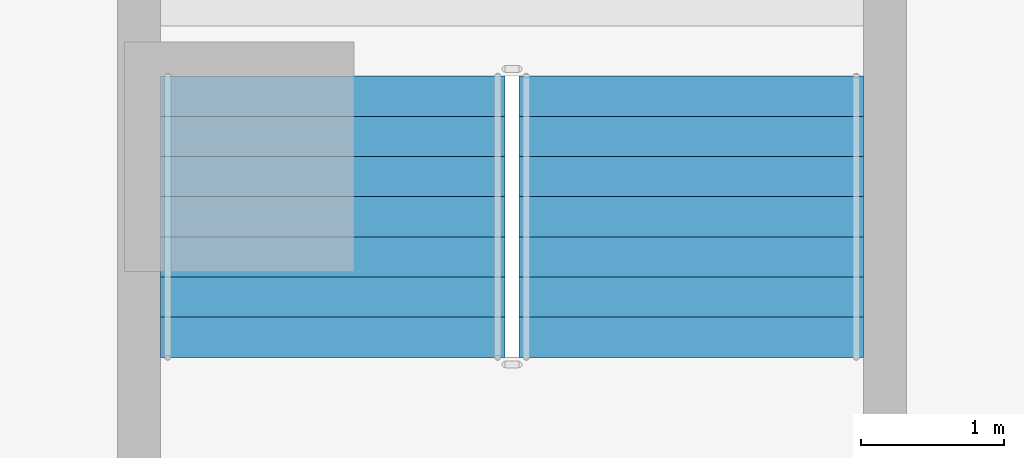
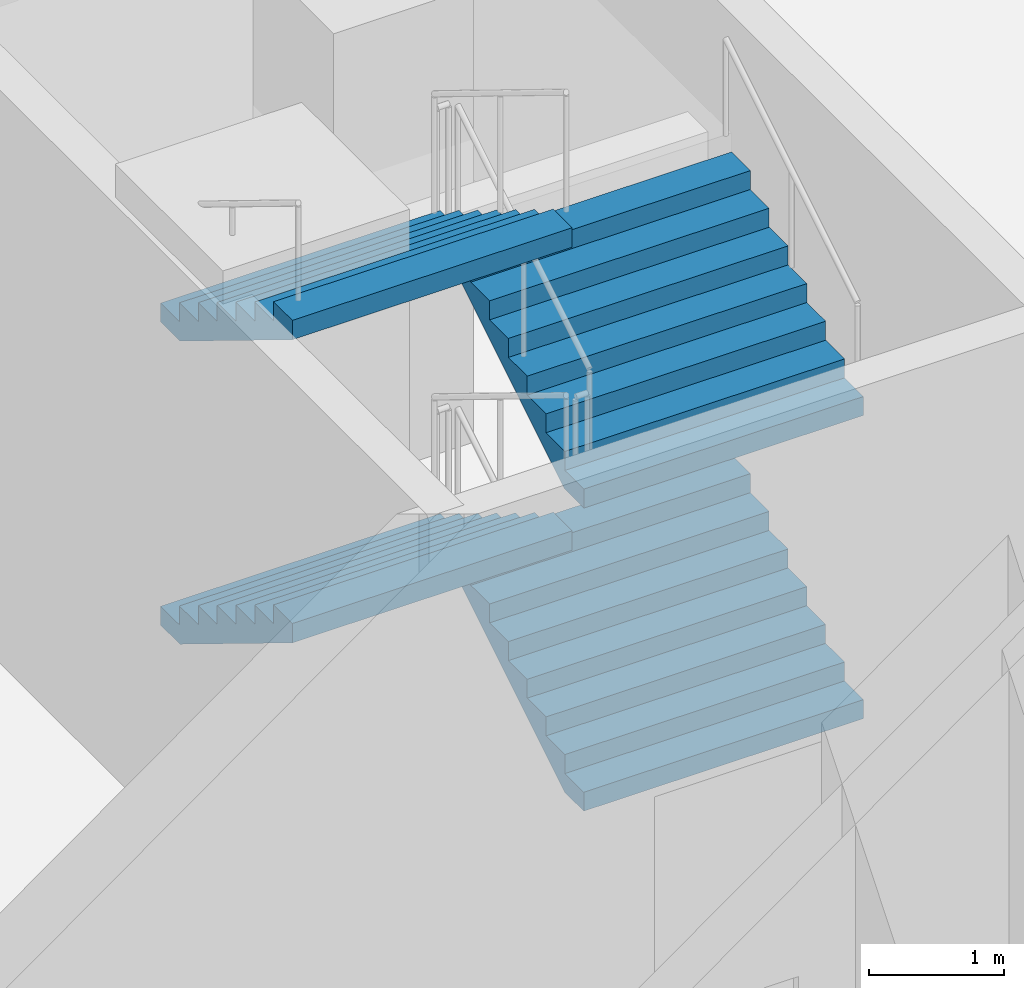
# One storey, part 17 of 31: 4 stair flights, 1 element without a shape of its own.
"""IFC4 building model written with IfcOpenShell, lengths in metres."""

from ifc_helpers import new_model, si_unit, direction, frame, origin, place, context, subcontext, project, spatial, triangles, source, transform, mapped, material, type_object, element, aggregate, save


model = new_model("IFC4")

# Units and contexts
model_context = context("Model", 3, precision=1e-05, world=origin(), true_north=direction((0.0, 1.0)))
body_context = subcontext(model_context, "Body", "Model", "MODEL_VIEW")
ifc_project = project(units=[si_unit("LENGTHUNIT", "METRE"), si_unit("AREAUNIT", "SQUARE_METRE"), si_unit("VOLUMEUNIT", "CUBIC_METRE"), si_unit("PLANEANGLEUNIT", "RADIAN"), si_unit("MASSUNIT", "GRAM", prefix="KILO")], contexts=[model_context])

# Site, building, storey
site_placement = place(None, origin())
site = spatial("IfcSite", under=ifc_project, at=site_placement, CompositionType="ELEMENT")
building_placement = place(site_placement, origin())
building = spatial("IfcBuilding", under=site, at=building_placement, Name="Ogive Portal Towers", CompositionType="ELEMENT")
storey_placement = place(building_placement, frame((0.0, 0.0, 8.0)))
storey = spatial("IfcBuildingStorey", under=building, at=storey_placement, Name="L01", CompositionType="ELEMENT", Elevation=8.0)

# Stair, stair flights
ifc_material = material(Name="Concrete C40/50", Category="concrete")
stair_type = type_object("IfcStairType", Name="INT-STAIR", PredefinedType="HALF_TURN_STAIR", material=ifc_material)
stair_placement = place(storey_placement, origin())
stair = element("IfcStair", 1, at=stair_placement, inside=storey, type_object=stair_type, Name="L01 Exit Stair ST-P1", PredefinedType="HALF_TURN_STAIR")
stair_flight_type = type_object("IfcStairFlightType", Name="INT-FLIGHT", PredefinedType="STRAIGHT", material=ifc_material)
shared_shape = source(origin(), body_context, "Body", "Tessellation", [
    triangles([(0.0, -1.199951171875, 0.0), (0.0, -0.6943359375, 0.0), (0.0, -0.35546875, 0.0), (0.0, -0.14990234375, 0.0), (0.0, -0.04443359375, 0.0), (0.0, -0.005615234375, 0.0), (0.0, 0.0, 0.0), (0.0, 0.005615234375, 0.0), (0.0, 0.04443359375, 0.0), (0.0, 0.14990234375, 0.0), (0.0, 0.35546875, 0.0), (0.0, 0.6943359375, 0.0), (0.0, 1.199951171875, 0.0), (0.0, -1.199951171875, 0.171875), (0.0, -0.6943359375, 0.171875), (0.0, -0.35546875, 0.171875), (0.0, -0.14990234375, 0.171875), (0.0, -0.04443359375, 0.171875), (0.0, -0.005615234375, 0.171875), (0.0, 0.0, 0.171875), (0.0, 0.005615234375, 0.171875), (0.0, 0.04443359375, 0.171875), (0.0, 0.14990234375, 0.171875), (0.0, 0.35546875, 0.171875), (0.0, 0.6943359375, 0.171875), (0.0, 1.199951171875, 0.171875), (0.280029296875, -1.199951171875, 0.171875), (0.280029296875, -0.6943359375, 0.171875), (0.280029296875, -0.35546875, 0.171875), (0.280029296875, -0.14990234375, 0.171875), (0.280029296875, -0.04443359375, 0.171875), (0.280029296875, -0.005615234375, 0.171875), (0.280029296875, 0.0, 0.171875), (0.280029296875, 0.005615234375, 0.171875), (0.280029296875, 0.04443359375, 0.171875), (0.280029296875, 0.14990234375, 0.171875), (0.280029296875, 0.35546875, 0.171875), (0.280029296875, 0.6943359375, 0.171875), (0.280029296875, 1.199951171875, 0.171875), (0.280029296875, -1.199951171875, 0.34375), (0.280029296875, -0.6943359375, 0.34375), (0.280029296875, -0.35546875, 0.34375), (0.280029296875, -0.14990234375, 0.34375), (0.280029296875, -0.04443359375, 0.34375), (0.280029296875, -0.005615234375, 0.34375), (0.280029296875, 0.0, 0.34375), (0.280029296875, 0.005615234375, 0.34375), (0.280029296875, 0.04443359375, 0.34375), (0.280029296875, 0.14990234375, 0.34375), (0.280029296875, 0.35546875, 0.34375), (0.280029296875, 0.6943359375, 0.34375), (0.280029296875, 1.199951171875, 0.34375), (0.56005859375, -1.199951171875, 0.34375), (0.56005859375, -0.6943359375, 0.34375), (0.56005859375, -0.35546875, 0.34375), (0.56005859375, -0.14990234375, 0.34375), (0.56005859375, -0.04443359375, 0.34375), (0.56005859375, -0.005615234375, 0.34375), (0.56005859375, 0.0, 0.34375), (0.56005859375, 0.005615234375, 0.34375), (0.56005859375, 0.04443359375, 0.34375), (0.56005859375, 0.14990234375, 0.34375), (0.56005859375, 0.35546875, 0.34375), (0.56005859375, 0.6943359375, 0.34375), (0.56005859375, 1.199951171875, 0.34375), (0.56005859375, -1.199951171875, 0.515625), (0.56005859375, -0.6943359375, 0.515625), (0.56005859375, -0.35546875, 0.515625), (0.56005859375, -0.14990234375, 0.515625), (0.56005859375, -0.04443359375, 0.515625), (0.56005859375, -0.005615234375, 0.515625), (0.56005859375, 0.0, 0.515625), (0.56005859375, 0.005615234375, 0.515625), (0.56005859375, 0.04443359375, 0.515625), (0.56005859375, 0.14990234375, 0.515625), (0.56005859375, 0.35546875, 0.515625), (0.56005859375, 0.6943359375, 0.515625), (0.56005859375, 1.199951171875, 0.515625), (0.840087890625, -1.199951171875, 0.515625), (0.840087890625, -0.6943359375, 0.515625), (0.840087890625, -0.35546875, 0.515625), (0.840087890625, -0.14990234375, 0.515625), (0.840087890625, -0.04443359375, 0.515625), (0.840087890625, -0.005615234375, 0.515625), (0.840087890625, 0.0, 0.515625), (0.840087890625, 0.005615234375, 0.515625), (0.840087890625, 0.04443359375, 0.515625), (0.840087890625, 0.14990234375, 0.515625), (0.840087890625, 0.35546875, 0.515625), (0.840087890625, 0.6943359375, 0.515625), (0.840087890625, 1.199951171875, 0.515625), (0.840087890625, -1.199951171875, 0.6875), (0.840087890625, -0.6943359375, 0.6875), (0.840087890625, -0.35546875, 0.6875), (0.840087890625, -0.14990234375, 0.6875), (0.840087890625, -0.04443359375, 0.6875), (0.840087890625, -0.005615234375, 0.6875), (0.840087890625, 0.0, 0.6875), (0.840087890625, 0.005615234375, 0.6875), (0.840087890625, 0.04443359375, 0.6875), (0.840087890625, 0.14990234375, 0.6875), (0.840087890625, 0.35546875, 0.6875), (0.840087890625, 0.6943359375, 0.6875), (0.840087890625, 1.199951171875, 0.6875), (1.1201171875, -1.199951171875, 0.6875), (1.1201171875, -0.6943359375, 0.6875), (1.1201171875, -0.35546875, 0.6875), (1.1201171875, -0.14990234375, 0.6875), (1.1201171875, -0.04443359375, 0.6875), (1.1201171875, -0.005615234375, 0.6875), (1.1201171875, 0.0, 0.6875), (1.1201171875, 0.005615234375, 0.6875), (1.1201171875, 0.04443359375, 0.6875), (1.1201171875, 0.14990234375, 0.6875), (1.1201171875, 0.35546875, 0.6875), (1.1201171875, 0.6943359375, 0.6875), (1.1201171875, 1.199951171875, 0.6875), (1.1201171875, -1.199951171875, 0.859375), (1.1201171875, -0.6943359375, 0.859375), (1.1201171875, -0.35546875, 0.859375), (1.1201171875, -0.14990234375, 0.859375), (1.1201171875, -0.04443359375, 0.859375), (1.1201171875, -0.005615234375, 0.859375), (1.1201171875, 0.0, 0.859375), (1.1201171875, 0.005615234375, 0.859375), (1.1201171875, 0.04443359375, 0.859375), (1.1201171875, 0.14990234375, 0.859375), (1.1201171875, 0.35546875, 0.859375), (1.1201171875, 0.6943359375, 0.859375), (1.1201171875, 1.199951171875, 0.859375), (1.39990234375, -1.199951171875, 0.859375), (1.39990234375, -0.6943359375, 0.859375), (1.39990234375, -0.35546875, 0.859375), (1.39990234375, -0.14990234375, 0.859375), (1.39990234375, -0.04443359375, 0.859375), (1.39990234375, -0.005615234375, 0.859375), (1.39990234375, 0.0, 0.859375), (1.39990234375, 0.005615234375, 0.859375), (1.39990234375, 0.04443359375, 0.859375), (1.39990234375, 0.14990234375, 0.859375), (1.39990234375, 0.35546875, 0.859375), (1.39990234375, 0.6943359375, 0.859375), (1.39990234375, 1.199951171875, 0.859375), (1.39990234375, -1.199951171875, 1.03125), (1.39990234375, -0.6943359375, 1.03125), (1.39990234375, -0.35546875, 1.03125), (1.39990234375, -0.14990234375, 1.03125), (1.39990234375, -0.04443359375, 1.03125), (1.39990234375, -0.005615234375, 1.03125), (1.39990234375, 0.0, 1.03125), (1.39990234375, 0.005615234375, 1.03125), (1.39990234375, 0.04443359375, 1.03125), (1.39990234375, 0.14990234375, 1.03125), (1.39990234375, 0.35546875, 1.03125), (1.39990234375, 0.6943359375, 1.03125), (1.39990234375, 1.199951171875, 1.03125), (1.679931640625, -1.199951171875, 1.03125), (1.679931640625, -0.6943359375, 1.03125), (1.679931640625, -0.35546875, 1.03125), (1.679931640625, -0.14990234375, 1.03125), (1.679931640625, -0.04443359375, 1.03125), (1.679931640625, -0.005615234375, 1.03125), (1.679931640625, 0.0, 1.03125), (1.679931640625, 0.005615234375, 1.03125), (1.679931640625, 0.04443359375, 1.03125), (1.679931640625, 0.14990234375, 1.03125), (1.679931640625, 0.35546875, 1.03125), (1.679931640625, 0.6943359375, 1.03125), (1.679931640625, 1.199951171875, 1.03125), (1.679931640625, -1.199951171875, 1.203125), (1.679931640625, -0.6943359375, 1.203125), (1.679931640625, -0.35546875, 1.203125), (1.679931640625, -0.14990234375, 1.203125), (1.679931640625, -0.04443359375, 1.203125), (1.679931640625, -0.005615234375, 1.203125), (1.679931640625, 0.0, 1.203125), (1.679931640625, 0.005615234375, 1.203125), (1.679931640625, 0.04443359375, 1.203125), (1.679931640625, 0.14990234375, 1.203125), (1.679931640625, 0.35546875, 1.203125), (1.679931640625, 0.6943359375, 1.203125), (1.679931640625, 1.199951171875, 1.203125), (1.9599609375, -1.199951171875, 1.203125), (1.9599609375, -0.6943359375, 1.203125), (1.9599609375, -0.35546875, 1.203125), (1.9599609375, -0.14990234375, 1.203125), (1.9599609375, -0.04443359375, 1.203125), (1.9599609375, -0.005615234375, 1.203125), (1.9599609375, 0.0, 1.203125), (1.9599609375, 0.005615234375, 1.203125), (1.9599609375, 0.04443359375, 1.203125), (1.9599609375, 0.14990234375, 1.203125), (1.9599609375, 0.35546875, 1.203125), (1.9599609375, 0.6943359375, 1.203125), (1.9599609375, 1.199951171875, 1.203125), (1.9599609375, -1.199951171875, 1.02734375), (1.9599609375, -0.6943359375, 1.02734375), (1.9599609375, -0.35546875, 1.02734375), (1.9599609375, -0.14990234375, 1.02734375), (1.9599609375, -0.04443359375, 1.02734375), (1.9599609375, -0.005615234375, 1.02734375), (1.9599609375, 0.0, 1.02734375), (1.9599609375, 0.005615234375, 1.02734375), (1.9599609375, 0.04443359375, 1.02734375), (1.9599609375, 0.14990234375, 1.02734375), (1.9599609375, 0.35546875, 1.02734375), (1.9599609375, 0.6943359375, 1.02734375), (1.9599609375, 1.199951171875, 1.02734375), (0.28662109375, -1.199951171875, 0.0), (0.28662109375, -0.6943359375, 0.0), (0.28662109375, -0.35546875, 0.0), (0.28662109375, -0.14990234375, 0.0), (0.28662109375, -0.04443359375, 0.0), (0.28662109375, -0.005615234375, 0.0), (0.28662109375, 0.0, 0.0), (0.28662109375, 0.005615234375, 0.0), (0.28662109375, 0.04443359375, 0.0), (0.28662109375, 0.14990234375, 0.0), (0.28662109375, 0.35546875, 0.0), (0.28662109375, 0.6943359375, 0.0), (0.28662109375, 1.199951171875, 0.0)], [[1, 14, 15], [1, 15, 2], [2, 15, 16], [2, 16, 3], [3, 16, 17], [3, 17, 4], [4, 17, 18], [4, 18, 5], [5, 18, 19], [5, 19, 6], [6, 19, 20], [6, 20, 7], [7, 20, 21], [7, 21, 8], [8, 21, 22], [8, 22, 9], [9, 22, 23], [9, 23, 10], [10, 23, 24], [10, 24, 11], [11, 24, 25], [11, 25, 12], [12, 25, 26], [12, 26, 13], [14, 27, 28], [14, 28, 15], [15, 28, 29], [15, 29, 16], [16, 29, 30], [16, 30, 17], [17, 30, 31], [17, 31, 18], [18, 31, 32], [18, 32, 19], [19, 32, 33], [19, 33, 20], [20, 33, 34], [20, 34, 21], [21, 34, 35], [21, 35, 22], [22, 35, 36], [22, 36, 23], [23, 36, 37], [23, 37, 24], [24, 37, 38], [24, 38, 25], [25, 38, 39], [25, 39, 26], [27, 40, 41], [27, 41, 28], [28, 41, 42], [28, 42, 29], [29, 42, 43], [29, 43, 30], [30, 43, 44], [30, 44, 31], [31, 44, 45], [31, 45, 32], [32, 45, 46], [32, 46, 33], [33, 46, 47], [33, 47, 34], [34, 47, 48], [34, 48, 35], [35, 48, 49], [35, 49, 36], [36, 49, 50], [36, 50, 37], [37, 50, 51], [37, 51, 38], [38, 51, 52], [38, 52, 39], [40, 53, 54], [40, 54, 41], [41, 54, 55], [41, 55, 42], [42, 55, 56], [42, 56, 43], [43, 56, 57], [43, 57, 44], [44, 57, 58], [44, 58, 45], [45, 58, 59], [45, 59, 46], [46, 59, 60], [46, 60, 47], [47, 60, 61], [47, 61, 48], [48, 61, 62], [48, 62, 49], [49, 62, 63], [49, 63, 50], [50, 63, 64], [50, 64, 51], [51, 64, 65], [51, 65, 52], [53, 66, 67], [53, 67, 54], [54, 67, 68], [54, 68, 55], [55, 68, 69], [55, 69, 56], [56, 69, 70], [56, 70, 57], [57, 70, 71], [57, 71, 58], [58, 71, 72], [58, 72, 59], [59, 72, 73], [59, 73, 60], [60, 73, 74], [60, 74, 61], [61, 74, 75], [61, 75, 62], [62, 75, 76], [62, 76, 63], [63, 76, 77], [63, 77, 64], [64, 77, 78], [64, 78, 65], [66, 79, 80], [66, 80, 67], [67, 80, 81], [67, 81, 68], [68, 81, 82], [68, 82, 69], [69, 82, 83], [69, 83, 70], [70, 83, 84], [70, 84, 71], [71, 84, 85], [71, 85, 72], [72, 85, 86], [72, 86, 73], [73, 86, 87], [73, 87, 74], [74, 87, 88], [74, 88, 75], [75, 88, 89], [75, 89, 76], [76, 89, 90], [76, 90, 77], [77, 90, 91], [77, 91, 78], [79, 92, 93], [79, 93, 80], [80, 93, 94], [80, 94, 81], [81, 94, 95], [81, 95, 82], [82, 95, 96], [82, 96, 83], [83, 96, 97], [83, 97, 84], [84, 97, 98], [84, 98, 85], [85, 98, 99], [85, 99, 86], [86, 99, 100], [86, 100, 87], [87, 100, 101], [87, 101, 88], [88, 101, 102], [88, 102, 89], [89, 102, 103], [89, 103, 90], [90, 103, 104], [90, 104, 91], [92, 105, 106], [92, 106, 93], [93, 106, 107], [93, 107, 94], [94, 107, 108], [94, 108, 95], [95, 108, 109], [95, 109, 96], [96, 109, 110], [96, 110, 97], [97, 110, 111], [97, 111, 98], [98, 111, 112], [98, 112, 99], [99, 112, 113], [99, 113, 100], [100, 113, 114], [100, 114, 101], [101, 114, 115], [101, 115, 102], [102, 115, 116], [102, 116, 103], [103, 116, 117], [103, 117, 104], [105, 118, 119], [105, 119, 106], [106, 119, 120], [106, 120, 107], [107, 120, 121], [107, 121, 108], [108, 121, 122], [108, 122, 109], [109, 122, 123], [109, 123, 110], [110, 123, 124], [110, 124, 111], [111, 124, 125], [111, 125, 112], [112, 125, 126], [112, 126, 113], [113, 126, 127], [113, 127, 114], [114, 127, 128], [114, 128, 115], [115, 128, 129], [115, 129, 116], [116, 129, 130], [116, 130, 117], [118, 131, 132], [118, 132, 119], [119, 132, 133], [119, 133, 120], [120, 133, 134], [120, 134, 121], [121, 134, 135], [121, 135, 122], [122, 135, 136], [122, 136, 123], [123, 136, 137], [123, 137, 124], [124, 137, 138], [124, 138, 125], [125, 138, 139], [125, 139, 126], [126, 139, 140], [126, 140, 127], [127, 140, 141], [127, 141, 128], [128, 141, 142], [128, 142, 129], [129, 142, 143], [129, 143, 130], [131, 144, 145], [131, 145, 132], [132, 145, 146], [132, 146, 133], [133, 146, 147], [133, 147, 134], [134, 147, 148], [134, 148, 135], [135, 148, 149], [135, 149, 136], [136, 149, 150], [136, 150, 137], [137, 150, 151], [137, 151, 138], [138, 151, 152], [138, 152, 139], [139, 152, 153], [139, 153, 140], [140, 153, 154], [140, 154, 141], [141, 154, 155], [141, 155, 142], [142, 155, 156], [142, 156, 143], [144, 157, 158], [144, 158, 145], [145, 158, 159], [145, 159, 146], [146, 159, 160], [146, 160, 147], [147, 160, 161], [147, 161, 148], [148, 161, 162], [148, 162, 149], [149, 162, 163], [149, 163, 150], [150, 163, 164], [150, 164, 151], [151, 164, 165], [151, 165, 152], [152, 165, 166], [152, 166, 153], [153, 166, 167], [153, 167, 154], [154, 167, 168], [154, 168, 155], [155, 168, 169], [155, 169, 156], [157, 170, 171], [157, 171, 158], [158, 171, 172], [158, 172, 159], [159, 172, 173], [159, 173, 160], [160, 173, 174], [160, 174, 161], [161, 174, 175], [161, 175, 162], [162, 175, 176], [162, 176, 163], [163, 176, 177], [163, 177, 164], [164, 177, 178], [164, 178, 165], [165, 178, 179], [165, 179, 166], [166, 179, 180], [166, 180, 167], [167, 180, 181], [167, 181, 168], [168, 181, 182], [168, 182, 169], [170, 183, 184], [170, 184, 171], [171, 184, 185], [171, 185, 172], [172, 185, 186], [172, 186, 173], [173, 186, 187], [173, 187, 174], [174, 187, 188], [174, 188, 175], [175, 188, 189], [175, 189, 176], [176, 189, 190], [176, 190, 177], [177, 190, 191], [177, 191, 178], [178, 191, 192], [178, 192, 179], [179, 192, 193], [179, 193, 180], [180, 193, 194], [180, 194, 181], [181, 194, 195], [181, 195, 182], [183, 196, 197], [183, 197, 184], [184, 197, 198], [184, 198, 185], [185, 198, 199], [185, 199, 186], [186, 199, 200], [186, 200, 187], [187, 200, 201], [187, 201, 188], [188, 201, 202], [188, 202, 189], [189, 202, 203], [189, 203, 190], [190, 203, 204], [190, 204, 191], [191, 204, 205], [191, 205, 192], [192, 205, 206], [192, 206, 193], [193, 206, 207], [193, 207, 194], [194, 207, 208], [194, 208, 195], [196, 209, 210], [196, 210, 197], [197, 210, 211], [197, 211, 198], [198, 211, 212], [198, 212, 199], [199, 212, 213], [199, 213, 200], [200, 213, 214], [200, 214, 201], [201, 214, 215], [201, 215, 202], [202, 215, 216], [202, 216, 203], [203, 216, 217], [203, 217, 204], [204, 217, 218], [204, 218, 205], [205, 218, 219], [205, 219, 206], [206, 219, 220], [206, 220, 207], [207, 220, 221], [207, 221, 208], [209, 1, 2], [209, 2, 210], [210, 2, 3], [210, 3, 211], [211, 3, 4], [211, 4, 212], [212, 4, 5], [212, 5, 213], [213, 5, 6], [213, 6, 214], [214, 6, 7], [214, 7, 215], [215, 7, 8], [215, 8, 216], [216, 8, 9], [216, 9, 217], [217, 9, 10], [217, 10, 218], [218, 10, 11], [218, 11, 219], [219, 11, 12], [219, 12, 220], [220, 12, 13], [220, 13, 221], [1, 209, 196], [13, 208, 221], [196, 183, 170], [208, 182, 195], [196, 170, 157], [208, 169, 182], [196, 157, 144], [208, 156, 169], [196, 144, 131], [208, 143, 156], [131, 118, 105], [143, 117, 130], [196, 131, 105], [208, 117, 143], [105, 92, 79], [117, 91, 104], [196, 105, 79], [208, 91, 117], [79, 66, 53], [91, 65, 78], [196, 79, 53], [208, 65, 91], [53, 40, 27], [65, 39, 52], [196, 53, 27], [208, 39, 65], [1, 196, 27], [13, 39, 208], [27, 14, 1], [39, 13, 26]], closed=True),
])
stair_flight_1_placement = place(storey_placement, frame((95.60009765625, 36.050048828125, 0.0), z_axis=(0.0, 0.0, 1.0), x_axis=(0.0, 1.0, 0.0)))
stair_flight_1 = element("IfcStairFlight", 2, at=stair_flight_1_placement, type_object=stair_flight_type, Name="ST-P1 flight 1", NumberOfRisers=8, NumberOfTreads=7, PredefinedType="STRAIGHT", RiserHeight=0.171875, TreadLength=0.28, context=body_context, shape_type="MappedRepresentation", body=[
    mapped(shared_shape, transform((0.0, 0.0, 0.0), scale=1.0)),
])
stair_flight_2_placement = place(storey_placement, frame((93.10009765625, 38.010009765625, 1.375), z_axis=(0.0, 0.0, 1.0), x_axis=(0.0, -1.0, 0.0)))
stair_flight_2 = element("IfcStairFlight", 3, at=stair_flight_2_placement, type_object=stair_flight_type, Name="ST-P1 flight 2", NumberOfRisers=8, NumberOfTreads=7, PredefinedType="STRAIGHT", RiserHeight=0.171875, TreadLength=0.28, context=body_context, shape_type="MappedRepresentation", body=[
    mapped(shared_shape, transform((0.0, 0.0, 0.0), scale=1.0)),
])
stair_flight_3_placement = place(storey_placement, frame((95.60009765625, 36.050048828125, 2.75), z_axis=(0.0, 0.0, 1.0), x_axis=(0.0, 1.0, 0.0)))
stair_flight_3 = element("IfcStairFlight", 4, at=stair_flight_3_placement, type_object=stair_flight_type, Name="ST-P1 flight 3", NumberOfRisers=8, NumberOfTreads=7, PredefinedType="STRAIGHT", RiserHeight=0.171875, TreadLength=0.28, context=body_context, shape_type="MappedRepresentation", body=[
    mapped(shared_shape, transform((0.0, 0.0, 0.0), scale=1.0)),
])
stair_flight_4_placement = place(storey_placement, frame((93.10009765625, 38.010009765625, 4.125), z_axis=(0.0, 0.0, 1.0), x_axis=(0.0, -1.0, 0.0)))
stair_flight_4 = element("IfcStairFlight", 5, at=stair_flight_4_placement, type_object=stair_flight_type, Name="ST-P1 flight 4", NumberOfRisers=8, NumberOfTreads=7, PredefinedType="STRAIGHT", RiserHeight=0.171875, TreadLength=0.28, context=body_context, shape_type="MappedRepresentation", body=[
    mapped(shared_shape, transform((0.0, 0.0, 0.0), scale=1.0)),
])
aggregate(stair, [stair_flight_1, stair_flight_2, stair_flight_3, stair_flight_4])

save(model, "model.ifc")
